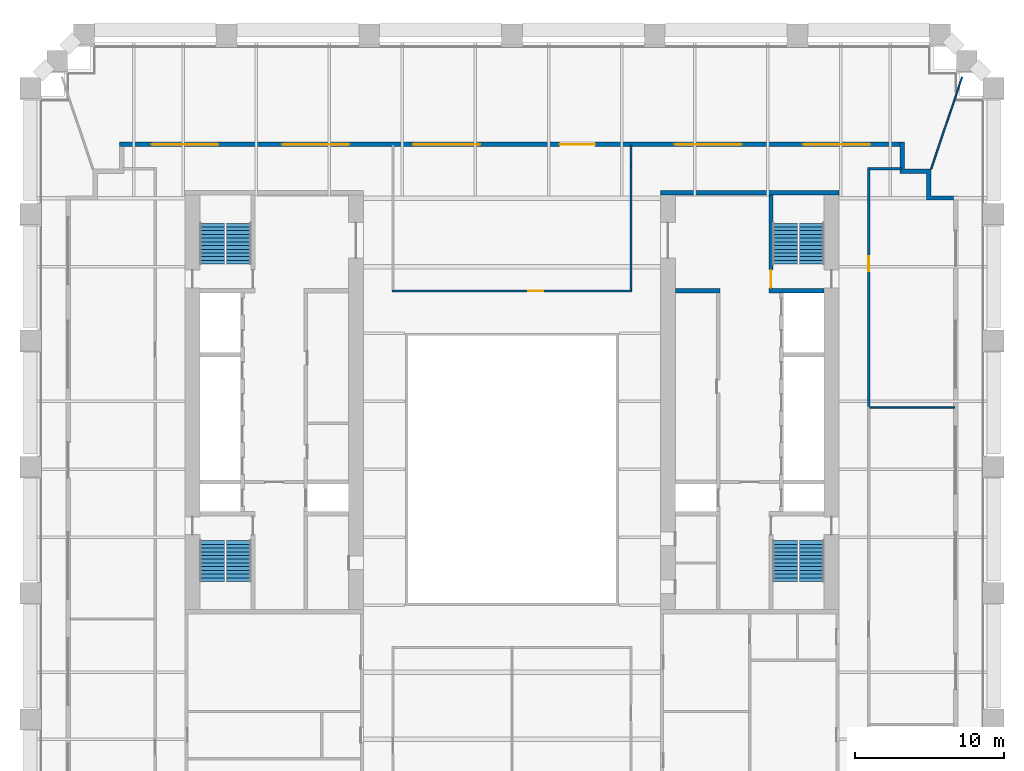
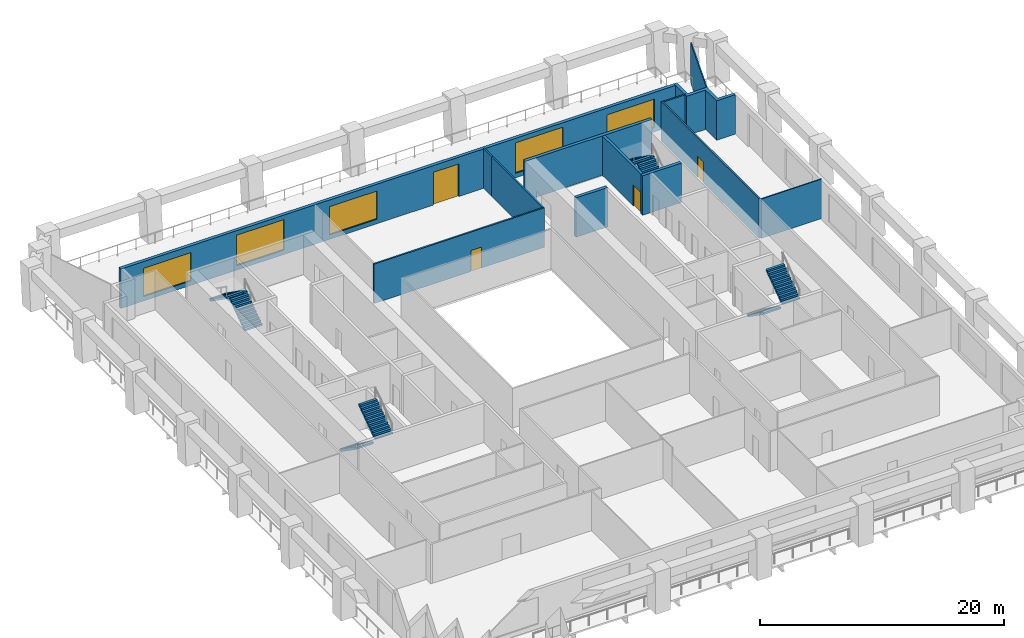
# One storey, part 7 of 9: 13 walls, 8 stair flights, 5 windows, 4 doors, 9 openings, 4 elements without a shape of their own.
"""IFC4 building model written with IfcOpenShell, lengths in metres."""

from ifc_helpers import new_model, si_unit, direction, frame, frame_2d, origin, place, context, subcontext, project, spatial, polyline, rectangle, outline, extrude, material, layer, layer_set, type_object, element, fill, aggregate, save


model = new_model("IFC4")

# Units and contexts
model_context = context("Model", 3, precision=1e-05, world=origin(), true_north=direction((0.0, 1.0)))
body_context = subcontext(model_context, "Body", "Model", "MODEL_VIEW")
ifc_project = project(units=[si_unit("LENGTHUNIT", "METRE"), si_unit("AREAUNIT", "SQUARE_METRE"), si_unit("VOLUMEUNIT", "CUBIC_METRE"), si_unit("PLANEANGLEUNIT", "RADIAN"), si_unit("MASSUNIT", "GRAM", prefix="KILO")], contexts=[model_context])

# Site, building, storey
site_placement = place(None, origin())
site = spatial("IfcSite", under=ifc_project, at=site_placement, CompositionType="ELEMENT")
building_placement = place(site_placement, origin())
building = spatial("IfcBuilding", under=site, at=building_placement, Name="Ogive Exchange Tower", CompositionType="ELEMENT")
storey_placement = place(building_placement, frame((0.0, 0.0, 85.800048828125)))
storey = spatial("IfcBuildingStorey", under=building, at=storey_placement, Name="L18", CompositionType="ELEMENT", Elevation=85.800048828125)

# Wall
ifc_material_1 = material(Name="Gypsum board partition")
ifc_layer_1 = layer(ifc_material_1, 0.300048828125)
ifc_layer_set_1 = layer_set([ifc_layer_1], Name="Core room partition 300 gypsum")
wall_type_1 = type_object("IfcWallType", Name="Core room partition 300 gypsum", PredefinedType="PARTITIONING", material=ifc_layer_set_1)
wall_1_placement = place(storey_placement, frame((11.0, 19.0, 0.0), z_axis=(0.0, 0.0, 1.0), x_axis=(1.0, 0.0, 0.0)))
element("IfcWall", 1, at=wall_1_placement, inside=storey, type_object=wall_type_1, Name="E row B room end wall 7", PredefinedType="PARTITIONING", context=body_context, shape_type="SweptSolid", body=[
    extrude(rectangle(XDim=3.0, YDim=0.300048828125, at=frame_2d((1.5, 0.0))), origin(), (0.0, 0.0, 1.0), 3.949951171875),
])

# Wall, opening, door
ifc_material_2 = material(Name="Fire partition EI 60 150")
ifc_layer_2 = layer(ifc_material_2, 0.14990234375)
ifc_layer_set_2 = layer_set([ifc_layer_2], Name="Fire partition EI 60 150")
wall_type_2 = type_object("IfcWallType", Name="Fire partition EI 60 150", PredefinedType="PARTITIONING", material=ifc_layer_set_2)
wall_2_placement = place(storey_placement, frame((-8.074951171875, 19.0, 0.0), z_axis=(0.0, 0.0, 1.0), x_axis=(1.0, 0.0, 0.0)))
wall_2 = element("IfcWall", 2, at=wall_2_placement, inside=storey, type_object=wall_type_2, Name="L18-PWL-013", PredefinedType="PARTITIONING", context=body_context, shape_type="SweptSolid", body=[
    extrude(rectangle(XDim=16.14990234375, YDim=0.14990234375, at=frame_2d((8.074951171875, 0.0))), origin(), (0.0, 0.0, 1.0), 3.949951171875),
])
opening_1_placement = place(wall_2_placement, frame((9.175048828125, 0.0, 0.0)))
opening_1 = element("IfcOpeningElement", 3, at=opening_1_placement, cuts=wall_2, Name="Opening L18-I09", PredefinedType="OPENING", context=body_context, shape_type="SweptSolid", body=[
    extrude(rectangle(XDim=1.0, YDim=2.10009765625, at=frame_2d((0.5, 1.050048828125))), frame((0.0, 0.0849609375, 0.0), z_axis=(0.0, -1.0, 0.0), x_axis=(1.0, 0.0, 0.0)), (0.0, 0.0, 1.0), 0.169921875),
])
ifc_material_3 = material(Name="Fire door FD 30S 1000 x 2100")
door_type_1 = type_object("IfcDoorType", Name="Fire door FD 30S 1000 x 2100", OperationType="NOTDEFINED", PredefinedType="DOOR", material=ifc_material_3)
door_1_placement = place(opening_1_placement, origin())
door_1 = element("IfcDoor", 4, at=door_1_placement, inside=storey, type_object=door_type_1, Name="L18-IDR-009", ObjectType="DT3", OperationType="SINGLE_SWING_LEFT", OverallHeight=2.10009765625, OverallWidth=1.0, PredefinedType="DOOR", context=body_context, shape_type="SweptSolid", body=[
    extrude(rectangle(XDim=1.0, YDim=2.10009765625, at=frame_2d((0.5, 1.050048828125))), frame((0.0, 0.02490234375, 0.0), z_axis=(0.0, -1.0, 0.0), x_axis=(1.0, 0.0, 0.0)), (0.0, 0.0, 1.0), 0.050048828125),
])
fill(opening_1, door_1)

# Walls
wall_3_placement = place(storey_placement, frame((8.0, 19.074951171875, 0.0), z_axis=(0.0, 0.0, 1.0), x_axis=(0.0, 1.0, 0.0)))
element("IfcWall", 5, at=wall_3_placement, inside=storey, type_object=wall_type_2, Name="L18-PWL-024", PredefinedType="PARTITIONING", context=body_context, shape_type="SweptSolid", body=[
    extrude(rectangle(XDim=8.324951171875, YDim=0.14990234375, at=frame_2d((4.16259765625, 0.0))), origin(), (0.0, 0.0, 1.0), 3.949951171875),
])
wall_4_placement = place(storey_placement, frame((8.010009765625, 27.39990234375, 0.0), z_axis=(0.0, 0.0, 1.0), x_axis=(0.0, 1.0, 0.0)))
element("IfcWall", 6, at=wall_4_placement, inside=storey, type_object=wall_type_2, Name="L18-PWL-025", PredefinedType="PARTITIONING", context=body_context, shape_type="SweptSolid", body=[
    extrude(rectangle(XDim=1.400146484375, YDim=0.14990234375, at=frame_2d((0.7001953125, 0.0))), origin(), (0.0, 0.0, 1.0), 3.949951171875),
])

# Wall, opening, door
wall_5_placement = place(storey_placement, frame((24.0, 27.284912109375, 0.0), z_axis=(0.0, 0.0, 1.0), x_axis=(0.0, -1.0, 0.0)))
wall_5 = element("IfcWall", 7, at=wall_5_placement, inside=storey, type_object=wall_type_2, Name="L18-PWL-035", PredefinedType="PARTITIONING", context=body_context, shape_type="SweptSolid", body=[
    extrude(rectangle(XDim=16.06494140625, YDim=0.14990234375, at=frame_2d((8.032470703125, 0.0))), origin(), (0.0, 0.0, 1.0), 3.949951171875),
])
opening_2_placement = place(wall_5_placement, frame((5.965087890625, 0.0, 0.0)))
opening_2 = element("IfcOpeningElement", 8, at=opening_2_placement, cuts=wall_5, Name="Opening L18-I04", PredefinedType="OPENING", context=body_context, shape_type="SweptSolid", body=[
    extrude(rectangle(XDim=1.0, YDim=2.10009765625, at=frame_2d((0.5, 1.050048828125))), frame((0.0, 0.0849609375, 0.0), z_axis=(0.0, -1.0, 0.0), x_axis=(1.0, 0.0, 0.0)), (0.0, 0.0, 1.0), 0.169921875),
])
door_2_placement = place(opening_2_placement, origin())
door_2 = element("IfcDoor", 9, at=door_2_placement, inside=storey, type_object=door_type_1, Name="L18-IDR-004", ObjectType="DT3", OperationType="SINGLE_SWING_RIGHT", OverallHeight=2.10009765625, OverallWidth=1.0, PredefinedType="DOOR", context=body_context, shape_type="SweptSolid", body=[
    extrude(rectangle(XDim=1.0, YDim=2.10009765625, at=frame_2d((0.5, 1.050048828125))), frame((0.0, 0.02490234375, 0.0), z_axis=(0.0, -1.0, 0.0), x_axis=(1.0, 0.0, 0.0)), (0.0, 0.0, 1.0), 0.050048828125),
])
fill(opening_2, door_2)

# Wall
wall_6_placement = place(storey_placement, frame((26.199951171875, 27.2099609375, 0.0), z_axis=(0.0, 0.0, 1.0), x_axis=(-1.0, 0.0, 0.0)))
element("IfcWall", 10, at=wall_6_placement, inside=storey, type_object=wall_type_2, Name="L18-PWL-036", PredefinedType="PARTITIONING", context=body_context, shape_type="SweptSolid", body=[
    extrude(rectangle(XDim=2.125, YDim=0.14990234375, at=frame_2d((1.0625, 0.0))), origin(), (0.0, 0.0, 1.0), 3.949951171875),
])

# Wall, openings, door, windows
ifc_material_4 = material(Name="Precast concrete C40/50", Category="concrete")
ifc_layer_3 = layer(ifc_material_4, 0.300048828125)
ifc_layer_set_3 = layer_set([ifc_layer_3], Name="Limestone-faced wall 300")
wall_type_3 = type_object("IfcWallType", Name="Limestone-faced wall 300", PredefinedType="STANDARD", material=ifc_layer_set_3)
wall_7_placement = place(storey_placement, frame((26.10009765625, 28.85009765625, 0.0), z_axis=(0.0, 0.0, 1.0), x_axis=(-1.0, 0.0, 0.0)))
wall_7 = element("IfcWall", 11, at=wall_7_placement, inside=storey, type_object=wall_type_3, Name="External wall N3", PredefinedType="STANDARD", context=body_context, shape_type="SweptSolid", body=[
    extrude(rectangle(XDim=52.5, YDim=0.300048828125, at=frame_2d((26.25, 0.0))), origin(), (0.0, 0.0, 1.0), 3.949951171875),
])
opening_3_placement = place(wall_7_placement, frame((2.0, 0.0, 0.449951171875)))
opening_3 = element("IfcOpeningElement", 12, at=opening_3_placement, cuts=wall_7, Name="Opening W1E", PredefinedType="OPENING", context=body_context, shape_type="SweptSolid", body=[
    extrude(rectangle(XDim=4.5, YDim=2.824951171875, at=frame_2d((2.25, 1.41259765625))), frame((0.0, 0.159912109375, 0.0), z_axis=(0.0, -1.0, 0.0), x_axis=(1.0, 0.0, 0.0)), (0.0, 0.0, 1.0), 0.320068359375),
])
opening_4_placement = place(wall_7_placement, frame((10.64990234375, 0.0, 0.449951171875)))
opening_4 = element("IfcOpeningElement", 13, at=opening_4_placement, cuts=wall_7, Name="Opening W1", PredefinedType="OPENING", context=body_context, shape_type="SweptSolid", body=[
    extrude(rectangle(XDim=4.5, YDim=3.050048828125, at=frame_2d((2.25, 1.52490234375))), frame((0.0, 0.159912109375, 0.0), z_axis=(0.0, -1.0, 0.0), x_axis=(1.0, 0.0, 0.0)), (0.0, 0.0, 1.0), 0.320068359375),
])
opening_5_placement = place(wall_7_placement, frame((20.5, 0.0, 0.0)))
opening_5 = element("IfcOpeningElement", 14, at=opening_5_placement, cuts=wall_7, Name="Opening D1E", PredefinedType="OPENING", context=body_context, shape_type="SweptSolid", body=[
    extrude(rectangle(XDim=2.39990234375, YDim=3.27490234375, at=frame_2d((1.199951171875, 1.637451171875))), frame((0.0, 0.159912109375, 0.0), z_axis=(0.0, -1.0, 0.0), x_axis=(1.0, 0.0, 0.0)), (0.0, 0.0, 1.0), 0.320068359375),
])
opening_6_placement = place(wall_7_placement, frame((28.25, 0.0, 0.449951171875)))
opening_6 = element("IfcOpeningElement", 15, at=opening_6_placement, cuts=wall_7, Name="Opening W1E", PredefinedType="OPENING", context=body_context, shape_type="SweptSolid", body=[
    extrude(rectangle(XDim=4.5, YDim=2.824951171875, at=frame_2d((2.25, 1.41259765625))), frame((0.0, 0.159912109375, 0.0), z_axis=(0.0, -1.0, 0.0), x_axis=(1.0, 0.0, 0.0)), (0.0, 0.0, 1.0), 0.320068359375),
])
opening_7_placement = place(wall_7_placement, frame((37.050048828125, 0.0, 0.449951171875)))
opening_7 = element("IfcOpeningElement", 16, at=opening_7_placement, cuts=wall_7, Name="Opening W1", PredefinedType="OPENING", context=body_context, shape_type="SweptSolid", body=[
    extrude(rectangle(XDim=4.5, YDim=3.050048828125, at=frame_2d((2.25, 1.52490234375))), frame((0.0, 0.159912109375, 0.0), z_axis=(0.0, -1.0, 0.0), x_axis=(1.0, 0.0, 0.0)), (0.0, 0.0, 1.0), 0.320068359375),
])
opening_8_placement = place(wall_7_placement, frame((45.85009765625, 0.0, 0.449951171875)))
opening_8 = element("IfcOpeningElement", 17, at=opening_8_placement, cuts=wall_7, Name="Opening W1E", PredefinedType="OPENING", context=body_context, shape_type="SweptSolid", body=[
    extrude(rectangle(XDim=4.5, YDim=2.824951171875, at=frame_2d((2.25, 1.41259765625))), frame((0.0, 0.159912109375, 0.0), z_axis=(0.0, -1.0, 0.0), x_axis=(1.0, 0.0, 0.0)), (0.0, 0.0, 1.0), 0.320068359375),
])
ifc_material_5 = material(Name="Clear glass in bronze frame", Category="glass")
door_type_2 = type_object("IfcDoorType", Name="Sliding loggia door 2400 x 3275", OperationType="DOUBLE_DOOR_SLIDING", PredefinedType="DOOR", material=ifc_material_5)
door_3_placement = place(opening_5_placement, origin())
door_3 = element("IfcDoor", 18, at=door_3_placement, inside=storey, type_object=door_type_2, Name="Loggia door N02", OperationType="DOUBLE_DOOR_SLIDING", OverallHeight=3.27490234375, OverallWidth=2.39990234375, PredefinedType="DOOR", context=body_context, shape_type="SweptSolid", body=[
    extrude(rectangle(XDim=2.39990234375, YDim=3.27490234375, at=frame_2d((1.199951171875, 1.637451171875))), frame((0.0, 0.02490234375, 0.0), z_axis=(0.0, -1.0, 0.0), x_axis=(1.0, 0.0, 0.0)), (0.0, 0.0, 1.0), 0.050048828125),
])
fill(opening_5, door_3)
window_type_1 = type_object("IfcWindowType", Name="Twin lancet window 4500 x 2825", PartitioningType="DOUBLE_PANEL_VERTICAL", PredefinedType="WINDOW", material=ifc_material_5)
window_1_placement = place(opening_3_placement, origin())
window_1 = element("IfcWindow", 19, at=window_1_placement, inside=storey, type_object=window_type_1, Name="Window N00", OverallHeight=2.824951171875, OverallWidth=4.5, PartitioningType="DOUBLE_PANEL_VERTICAL", PredefinedType="WINDOW", context=body_context, shape_type="SweptSolid", body=[
    extrude(rectangle(XDim=4.5, YDim=2.824951171875, at=frame_2d((2.25, 1.41259765625))), frame((0.0, 0.030029296875, 0.0), z_axis=(0.0, -1.0, 0.0), x_axis=(1.0, 0.0, 0.0)), (0.0, 0.0, 1.0), 0.06005859375),
])
fill(opening_3, window_1)
window_2_placement = place(opening_6_placement, origin())
window_2 = element("IfcWindow", 20, at=window_2_placement, inside=storey, type_object=window_type_1, Name="Window N03", OverallHeight=2.824951171875, OverallWidth=4.5, PartitioningType="DOUBLE_PANEL_VERTICAL", PredefinedType="WINDOW", context=body_context, shape_type="SweptSolid", body=[
    extrude(rectangle(XDim=4.5, YDim=2.824951171875, at=frame_2d((2.25, 1.41259765625))), frame((0.0, 0.030029296875, 0.0), z_axis=(0.0, -1.0, 0.0), x_axis=(1.0, 0.0, 0.0)), (0.0, 0.0, 1.0), 0.06005859375),
])
fill(opening_6, window_2)
window_3_placement = place(opening_8_placement, origin())
window_3 = element("IfcWindow", 21, at=window_3_placement, inside=storey, type_object=window_type_1, Name="Window N05", OverallHeight=2.824951171875, OverallWidth=4.5, PartitioningType="DOUBLE_PANEL_VERTICAL", PredefinedType="WINDOW", context=body_context, shape_type="SweptSolid", body=[
    extrude(rectangle(XDim=4.5, YDim=2.824951171875, at=frame_2d((2.25, 1.41259765625))), frame((0.0, 0.030029296875, 0.0), z_axis=(0.0, -1.0, 0.0), x_axis=(1.0, 0.0, 0.0)), (0.0, 0.0, 1.0), 0.06005859375),
])
fill(opening_8, window_3)
window_type_2 = type_object("IfcWindowType", Name="Twin lancet window 4500 x 3050", PartitioningType="DOUBLE_PANEL_VERTICAL", PredefinedType="WINDOW", material=ifc_material_5)
window_4_placement = place(opening_4_placement, origin())
window_4 = element("IfcWindow", 22, at=window_4_placement, inside=storey, type_object=window_type_2, Name="Window N01", OverallHeight=3.050048828125, OverallWidth=4.5, PartitioningType="DOUBLE_PANEL_VERTICAL", PredefinedType="WINDOW", context=body_context, shape_type="SweptSolid", body=[
    extrude(rectangle(XDim=4.5, YDim=3.050048828125, at=frame_2d((2.25, 1.52490234375))), frame((0.0, 0.030029296875, 0.0), z_axis=(0.0, -1.0, 0.0), x_axis=(1.0, 0.0, 0.0)), (0.0, 0.0, 1.0), 0.06005859375),
])
fill(opening_4, window_4)
window_5_placement = place(opening_7_placement, origin())
window_5 = element("IfcWindow", 23, at=window_5_placement, inside=storey, type_object=window_type_2, Name="Window N04", OverallHeight=3.050048828125, OverallWidth=4.5, PartitioningType="DOUBLE_PANEL_VERTICAL", PredefinedType="WINDOW", context=body_context, shape_type="SweptSolid", body=[
    extrude(rectangle(XDim=4.5, YDim=3.050048828125, at=frame_2d((2.25, 1.52490234375))), frame((0.0, 0.030029296875, 0.0), z_axis=(0.0, -1.0, 0.0), x_axis=(1.0, 0.0, 0.0)), (0.0, 0.0, 1.0), 0.06005859375),
])
fill(opening_7, window_5)

# Walls
wall_8_placement = place(storey_placement, origin())
element("IfcWall", 24, at=wall_8_placement, inside=storey, type_object=wall_type_3, Name="External corner wall C2", PredefinedType="STANDARD", context=body_context, shape_type="SweptSolid", body=[
    extrude(outline(polyline([(27.89990234375, 26.89990234375), (26.10009765625, 26.89990234375), (26.10009765625, 29.0), (26.39990234375, 29.0), (26.39990234375, 27.199951171875), (28.199951171875, 27.199951171875), (28.199951171875, 25.39990234375), (29.699951171875, 25.39990234375), (29.699951171875, 25.10009765625), (27.89990234375, 25.10009765625), (27.89990234375, 26.89990234375)])), origin(), (0.0, 0.0, 1.0), 3.949951171875),
])
ifc_material_6 = material(Name="Laminated safety glass in steel frame", Category="steel")
ifc_layer_4 = layer(ifc_material_6, 0.10009765625)
ifc_layer_set_4 = layer_set([ifc_layer_4], Name="Loggia end screen 100")
wall_type_4 = type_object("IfcWallType", Name="Loggia end screen 100", PredefinedType="STANDARD", material=ifc_layer_set_4)
wall_9_placement = place(storey_placement, frame((28.199951171875, 27.199951171875, -0.050048828125), z_axis=(0.0, 0.0, 1.0), x_axis=(0.318381156621, 0.94796278361, 0.0)))
element("IfcWall", 25, at=wall_9_placement, inside=storey, type_object=wall_type_4, Name="Loggia end screen C2", PredefinedType="STANDARD", context=body_context, shape_type="SweptSolid", body=[
    extrude(rectangle(XDim=6.52783203125, YDim=0.10009765625, at=frame_2d((3.263916015625, 0.0))), origin(), (0.0, 0.0, 1.0), 4.0),
])
ifc_material_7 = material(Name="Partition 100 gypsum")
ifc_layer_5 = layer(ifc_material_7, 0.10009765625)
ifc_layer_set_5 = layer_set([ifc_layer_5], Name="Partition 100 gypsum")
wall_type_5 = type_object("IfcWallType", Name="Partition 100 gypsum", PredefinedType="PARTITIONING", material=ifc_layer_set_5)
wall_10_placement = place(storey_placement, frame((24.074951171875, 11.169921875, 0.0), z_axis=(0.0, 0.0, 1.0), x_axis=(1.0, 0.0, 0.0)))
element("IfcWall", 26, at=wall_10_placement, inside=storey, type_object=wall_type_5, Name="L18-PWL-034", PredefinedType="PARTITIONING", context=body_context, shape_type="SweptSolid", body=[
    extrude(rectangle(XDim=5.72509765625, YDim=0.10009765625, at=frame_2d((2.862548828125, 0.0))), origin(), (0.0, 0.0, 1.0), 3.949951171875),
])

# Wall, opening, door
ifc_material_8 = material(Name="Concrete C70/85", Category="concrete")
ifc_layer_6 = layer(ifc_material_8, 0.25)
ifc_layer_set_6 = layer_set([ifc_layer_6], Name="RC core wall 250 C70/85")
wall_type_6 = type_object("IfcWallType", Name="RC core wall 250 C70/85", PredefinedType="SHEAR", material=ifc_layer_set_6)
wall_11_placement = place(storey_placement, frame((17.425048828125, 19.14990234375, 0.0), z_axis=(0.0, 0.0, 1.0), x_axis=(0.0, 1.0, 0.0)))
wall_11 = element("IfcWall", 27, at=wall_11_placement, inside=storey, type_object=wall_type_6, Name="E stair N front wall", PredefinedType="SHEAR", context=body_context, shape_type="SweptSolid", body=[
    extrude(rectangle(XDim=6.300048828125, YDim=0.25, at=frame_2d((3.14990234375, 0.0))), origin(), (0.0, 0.0, 1.0), 3.949951171875),
])
opening_9_placement = place(wall_11_placement, frame((0.050048828125, 0.0, 0.0)))
opening_9 = element("IfcOpeningElement", 28, at=opening_9_placement, cuts=wall_11, Name="Opening L18-C35", PredefinedType="OPENING", context=body_context, shape_type="SweptSolid", body=[
    extrude(rectangle(XDim=1.199951171875, YDim=2.10009765625, at=frame_2d((0.60009765625, 1.050048828125))), frame((0.0, 0.135009765625, 0.0), z_axis=(0.0, -1.0, 0.0), x_axis=(1.0, 0.0, 0.0)), (0.0, 0.0, 1.0), 0.27001953125),
])
ifc_material_9 = material(Name="Steel fire door", Category="steel")
door_type_3 = type_object("IfcDoorType", Name="Stair door FD90 1200 x 2100", OperationType="NOTDEFINED", PredefinedType="DOOR", material=ifc_material_9)
door_4_placement = place(opening_9_placement, frame((1.199951171875, 0.0, 0.0), z_axis=(0.0, 0.0, 1.0), x_axis=(-1.0, 0.0, 0.0)))
door_4 = element("IfcDoor", 29, at=door_4_placement, inside=storey, type_object=door_type_3, Name="Stair door", ObjectType="CD5", OperationType="SINGLE_SWING_LEFT", OverallHeight=2.10009765625, OverallWidth=1.199951171875, PredefinedType="DOOR", context=body_context, shape_type="SweptSolid", body=[
    extrude(rectangle(XDim=1.199951171875, YDim=2.10009765625, at=frame_2d((0.60009765625, 1.050048828125))), frame((0.0, 0.02490234375, 0.0), z_axis=(0.0, -1.0, 0.0), x_axis=(1.0, 0.0, 0.0)), (0.0, 0.0, 1.0), 0.050048828125),
])
fill(opening_9, door_4)

# Walls
ifc_layer_7 = layer(ifc_material_8, 0.300048828125)
ifc_layer_set_7 = layer_set([ifc_layer_7], Name="RC core wall 300 C70/85")
wall_type_7 = type_object("IfcWallType", Name="RC core wall 300 C70/85", PredefinedType="SHEAR", material=ifc_layer_set_7)
wall_12_placement = place(storey_placement, frame((10.0, 25.60009765625, 0.0), z_axis=(0.0, 0.0, 1.0), x_axis=(1.0, 0.0, 0.0)))
element("IfcWall", 30, at=wall_12_placement, inside=storey, type_object=wall_type_7, Name="E north end wall", PredefinedType="SHEAR", context=body_context, shape_type="SweptSolid", body=[
    extrude(rectangle(XDim=12.0, YDim=0.300048828125, at=frame_2d((6.0, 0.0))), origin(), (0.0, 0.0, 1.0), 3.949951171875),
])
wall_13_placement = place(storey_placement, frame((17.300048828125, 19.0, 0.0), z_axis=(0.0, 0.0, 1.0), x_axis=(1.0, 0.0, 0.0)))
element("IfcWall", 31, at=wall_13_placement, inside=storey, type_object=wall_type_7, Name="E stair N south wall", PredefinedType="SHEAR", context=body_context, shape_type="SweptSolid", body=[
    extrude(rectangle(XDim=3.699951171875, YDim=0.300048828125, at=frame_2d((1.85009765625, 0.0))), origin(), (0.0, 0.0, 1.0), 3.949951171875),
])

# Stair, stair flights
ifc_material_10 = material(Name="Concrete C40/50", Category="concrete")
stair_type = type_object("IfcStairType", Name="Exit stair 1650 wide", PredefinedType="HALF_TURN_STAIR", material=ifc_material_10)
stair_1_placement = place(storey_placement, origin())
stair_1 = element("IfcStair", 32, at=stair_1_placement, inside=storey, type_object=stair_type, Name="L18 exit stair ST1", PredefinedType="HALF_TURN_STAIR")
stair_flight_type = type_object("IfcStairFlightType", Name="Stair flight 1650 wide", PredefinedType="STRAIGHT", material=ifc_material_10)
stair_flight_1_placement = place(storey_placement, frame((-20.175048828125, 2.199951171875, 0.0), z_axis=(0.0, 0.0, 1.0), x_axis=(0.0, -1.0, 0.0)))
stair_flight_1 = element("IfcStairFlight", 33, at=stair_flight_1_placement, type_object=stair_flight_type, Name="ST1 flight 1", NumberOfRisers=12, NumberOfTreads=11, PredefinedType="STRAIGHT", RiserHeight=0.175, TreadLength=0.25, context=body_context, shape_type="SweptSolid", body=[
    extrude(outline(polyline([(0.0, 0.0), (0.0, 0.175048828125), (0.25, 0.175048828125), (0.25, 0.35009765625), (0.5, 0.35009765625), (0.5, 0.52490234375), (0.75, 0.52490234375), (0.75, 0.699951171875), (1.0, 0.699951171875), (1.0, 0.875), (1.25, 0.875), (1.25, 1.050048828125), (1.5, 1.050048828125), (1.5, 1.22509765625), (1.75, 1.22509765625), (1.75, 1.39990234375), (2.0, 1.39990234375), (2.0, 1.574951171875), (2.25, 1.574951171875), (2.25, 1.75), (2.5, 1.75), (2.5, 1.925048828125), (2.75, 1.925048828125), (2.75, 2.10009765625), (2.75, 1.741943359375), (0.261474609375, 0.0), (0.0, 0.0)])), frame((0.0, 0.824951171875, 0.0), z_axis=(0.0, -1.0, 0.0), x_axis=(1.0, 0.0, 0.0)), (0.0, 0.0, 1.0), 1.64990234375),
])
stair_flight_2_placement = place(storey_placement, frame((-18.375, -0.550048828125, 2.099853515625), z_axis=(0.0, 0.0, 1.0), x_axis=(0.0, 1.0, 0.0)))
stair_flight_2 = element("IfcStairFlight", 34, at=stair_flight_2_placement, type_object=stair_flight_type, Name="ST1 flight 2", NumberOfRisers=12, NumberOfTreads=11, PredefinedType="STRAIGHT", RiserHeight=0.175, TreadLength=0.25, context=body_context, shape_type="SweptSolid", body=[
    extrude(outline(polyline([(0.0, 0.0), (0.0, 0.175048828125), (0.25, 0.175048828125), (0.25, 0.35009765625), (0.5, 0.35009765625), (0.5, 0.52490234375), (0.75, 0.52490234375), (0.75, 0.699951171875), (1.0, 0.699951171875), (1.0, 0.875), (1.25, 0.875), (1.25, 1.050048828125), (1.5, 1.050048828125), (1.5, 1.22509765625), (1.75, 1.22509765625), (1.75, 1.39990234375), (2.0, 1.39990234375), (2.0, 1.574951171875), (2.25, 1.574951171875), (2.25, 1.75), (2.5, 1.75), (2.5, 1.925048828125), (2.75, 1.925048828125), (2.75, 2.10009765625), (2.75, 1.741943359375), (0.261474609375, 0.0), (0.0, 0.0)])), frame((0.0, 0.824951171875, 0.0), z_axis=(0.0, -1.0, 0.0), x_axis=(1.0, 0.0, 0.0)), (0.0, 0.0, 1.0), 1.64990234375),
])
aggregate(stair_1, [stair_flight_1, stair_flight_2])

stair_2_placement = place(storey_placement, origin())
stair_2 = element("IfcStair", 35, at=stair_2_placement, inside=storey, type_object=stair_type, Name="L18 exit stair ST2", PredefinedType="HALF_TURN_STAIR")
stair_flight_3_placement = place(storey_placement, frame((-18.375, 20.800048828125, 0.0), z_axis=(0.0, 0.0, 1.0), x_axis=(0.0, 1.0, 0.0)))
stair_flight_3 = element("IfcStairFlight", 36, at=stair_flight_3_placement, type_object=stair_flight_type, Name="ST2 flight 1", NumberOfRisers=12, NumberOfTreads=11, PredefinedType="STRAIGHT", RiserHeight=0.175, TreadLength=0.25, context=body_context, shape_type="SweptSolid", body=[
    extrude(outline(polyline([(0.0, 0.0), (0.0, 0.175048828125), (0.25, 0.175048828125), (0.25, 0.35009765625), (0.5, 0.35009765625), (0.5, 0.52490234375), (0.75, 0.52490234375), (0.75, 0.699951171875), (1.0, 0.699951171875), (1.0, 0.875), (1.25, 0.875), (1.25, 1.050048828125), (1.5, 1.050048828125), (1.5, 1.22509765625), (1.75, 1.22509765625), (1.75, 1.39990234375), (2.0, 1.39990234375), (2.0, 1.574951171875), (2.25, 1.574951171875), (2.25, 1.75), (2.5, 1.75), (2.5, 1.925048828125), (2.75, 1.925048828125), (2.75, 2.10009765625), (2.75, 1.741943359375), (0.261474609375, 0.0), (0.0, 0.0)])), frame((0.0, 0.824951171875, 0.0), z_axis=(0.0, -1.0, 0.0), x_axis=(1.0, 0.0, 0.0)), (0.0, 0.0, 1.0), 1.64990234375),
])
stair_flight_4_placement = place(storey_placement, frame((-20.175048828125, 23.550048828125, 2.099853515625), z_axis=(0.0, 0.0, 1.0), x_axis=(0.0, -1.0, 0.0)))
stair_flight_4 = element("IfcStairFlight", 37, at=stair_flight_4_placement, type_object=stair_flight_type, Name="ST2 flight 2", NumberOfRisers=12, NumberOfTreads=11, PredefinedType="STRAIGHT", RiserHeight=0.175, TreadLength=0.25, context=body_context, shape_type="SweptSolid", body=[
    extrude(outline(polyline([(0.0, 0.0), (0.0, 0.175048828125), (0.25, 0.175048828125), (0.25, 0.35009765625), (0.5, 0.35009765625), (0.5, 0.52490234375), (0.75, 0.52490234375), (0.75, 0.699951171875), (1.0, 0.699951171875), (1.0, 0.875), (1.25, 0.875), (1.25, 1.050048828125), (1.5, 1.050048828125), (1.5, 1.22509765625), (1.75, 1.22509765625), (1.75, 1.39990234375), (2.0, 1.39990234375), (2.0, 1.574951171875), (2.25, 1.574951171875), (2.25, 1.75), (2.5, 1.75), (2.5, 1.925048828125), (2.75, 1.925048828125), (2.75, 2.10009765625), (2.75, 1.741943359375), (0.261474609375, 0.0), (0.0, 0.0)])), frame((0.0, 0.824951171875, 0.0), z_axis=(0.0, -1.0, 0.0), x_axis=(1.0, 0.0, 0.0)), (0.0, 0.0, 1.0), 1.64990234375),
])
aggregate(stair_2, [stair_flight_3, stair_flight_4])

stair_3_placement = place(storey_placement, origin())
stair_3 = element("IfcStair", 38, at=stair_3_placement, inside=storey, type_object=stair_type, Name="L18 exit stair ST3", PredefinedType="HALF_TURN_STAIR")
stair_flight_5_placement = place(storey_placement, frame((18.375, 2.199951171875, 0.0), z_axis=(0.0, 0.0, 1.0), x_axis=(0.0, -1.0, 0.0)))
stair_flight_5 = element("IfcStairFlight", 39, at=stair_flight_5_placement, type_object=stair_flight_type, Name="ST3 flight 1", NumberOfRisers=12, NumberOfTreads=11, PredefinedType="STRAIGHT", RiserHeight=0.175, TreadLength=0.25, context=body_context, shape_type="SweptSolid", body=[
    extrude(outline(polyline([(0.0, 0.0), (0.0, 0.175048828125), (0.25, 0.175048828125), (0.25, 0.35009765625), (0.5, 0.35009765625), (0.5, 0.52490234375), (0.75, 0.52490234375), (0.75, 0.699951171875), (1.0, 0.699951171875), (1.0, 0.875), (1.25, 0.875), (1.25, 1.050048828125), (1.5, 1.050048828125), (1.5, 1.22509765625), (1.75, 1.22509765625), (1.75, 1.39990234375), (2.0, 1.39990234375), (2.0, 1.574951171875), (2.25, 1.574951171875), (2.25, 1.75), (2.5, 1.75), (2.5, 1.925048828125), (2.75, 1.925048828125), (2.75, 2.10009765625), (2.75, 1.741943359375), (0.261474609375, 0.0), (0.0, 0.0)])), frame((0.0, 0.824951171875, 0.0), z_axis=(0.0, -1.0, 0.0), x_axis=(1.0, 0.0, 0.0)), (0.0, 0.0, 1.0), 1.64990234375),
])
stair_flight_6_placement = place(storey_placement, frame((20.175048828125, -0.550048828125, 2.099853515625), z_axis=(0.0, 0.0, 1.0), x_axis=(0.0, 1.0, 0.0)))
stair_flight_6 = element("IfcStairFlight", 40, at=stair_flight_6_placement, type_object=stair_flight_type, Name="ST3 flight 2", NumberOfRisers=12, NumberOfTreads=11, PredefinedType="STRAIGHT", RiserHeight=0.175, TreadLength=0.25, context=body_context, shape_type="SweptSolid", body=[
    extrude(outline(polyline([(0.0, 0.0), (0.0, 0.175048828125), (0.25, 0.175048828125), (0.25, 0.35009765625), (0.5, 0.35009765625), (0.5, 0.52490234375), (0.75, 0.52490234375), (0.75, 0.699951171875), (1.0, 0.699951171875), (1.0, 0.875), (1.25, 0.875), (1.25, 1.050048828125), (1.5, 1.050048828125), (1.5, 1.22509765625), (1.75, 1.22509765625), (1.75, 1.39990234375), (2.0, 1.39990234375), (2.0, 1.574951171875), (2.25, 1.574951171875), (2.25, 1.75), (2.5, 1.75), (2.5, 1.925048828125), (2.75, 1.925048828125), (2.75, 2.10009765625), (2.75, 1.741943359375), (0.261474609375, 0.0), (0.0, 0.0)])), frame((0.0, 0.824951171875, 0.0), z_axis=(0.0, -1.0, 0.0), x_axis=(1.0, 0.0, 0.0)), (0.0, 0.0, 1.0), 1.64990234375),
])
aggregate(stair_3, [stair_flight_5, stair_flight_6])

stair_4_placement = place(storey_placement, origin())
stair_4 = element("IfcStair", 41, at=stair_4_placement, inside=storey, type_object=stair_type, Name="L18 exit stair ST4", PredefinedType="HALF_TURN_STAIR")
stair_flight_7_placement = place(storey_placement, frame((20.175048828125, 20.800048828125, 0.0), z_axis=(0.0, 0.0, 1.0), x_axis=(0.0, 1.0, 0.0)))
stair_flight_7 = element("IfcStairFlight", 42, at=stair_flight_7_placement, type_object=stair_flight_type, Name="ST4 flight 1", NumberOfRisers=12, NumberOfTreads=11, PredefinedType="STRAIGHT", RiserHeight=0.175, TreadLength=0.25, context=body_context, shape_type="SweptSolid", body=[
    extrude(outline(polyline([(0.0, 0.0), (0.0, 0.175048828125), (0.25, 0.175048828125), (0.25, 0.35009765625), (0.5, 0.35009765625), (0.5, 0.52490234375), (0.75, 0.52490234375), (0.75, 0.699951171875), (1.0, 0.699951171875), (1.0, 0.875), (1.25, 0.875), (1.25, 1.050048828125), (1.5, 1.050048828125), (1.5, 1.22509765625), (1.75, 1.22509765625), (1.75, 1.39990234375), (2.0, 1.39990234375), (2.0, 1.574951171875), (2.25, 1.574951171875), (2.25, 1.75), (2.5, 1.75), (2.5, 1.925048828125), (2.75, 1.925048828125), (2.75, 2.10009765625), (2.75, 1.741943359375), (0.261474609375, 0.0), (0.0, 0.0)])), frame((0.0, 0.824951171875, 0.0), z_axis=(0.0, -1.0, 0.0), x_axis=(1.0, 0.0, 0.0)), (0.0, 0.0, 1.0), 1.64990234375),
])
stair_flight_8_placement = place(storey_placement, frame((18.375, 23.550048828125, 2.099853515625), z_axis=(0.0, 0.0, 1.0), x_axis=(0.0, -1.0, 0.0)))
stair_flight_8 = element("IfcStairFlight", 43, at=stair_flight_8_placement, type_object=stair_flight_type, Name="ST4 flight 2", NumberOfRisers=12, NumberOfTreads=11, PredefinedType="STRAIGHT", RiserHeight=0.175, TreadLength=0.25, context=body_context, shape_type="SweptSolid", body=[
    extrude(outline(polyline([(0.0, 0.0), (0.0, 0.175048828125), (0.25, 0.175048828125), (0.25, 0.35009765625), (0.5, 0.35009765625), (0.5, 0.52490234375), (0.75, 0.52490234375), (0.75, 0.699951171875), (1.0, 0.699951171875), (1.0, 0.875), (1.25, 0.875), (1.25, 1.050048828125), (1.5, 1.050048828125), (1.5, 1.22509765625), (1.75, 1.22509765625), (1.75, 1.39990234375), (2.0, 1.39990234375), (2.0, 1.574951171875), (2.25, 1.574951171875), (2.25, 1.75), (2.5, 1.75), (2.5, 1.925048828125), (2.75, 1.925048828125), (2.75, 2.10009765625), (2.75, 1.741943359375), (0.261474609375, 0.0), (0.0, 0.0)])), frame((0.0, 0.824951171875, 0.0), z_axis=(0.0, -1.0, 0.0), x_axis=(1.0, 0.0, 0.0)), (0.0, 0.0, 1.0), 1.64990234375),
])
aggregate(stair_4, [stair_flight_7, stair_flight_8])

save(model, "model.ifc")
